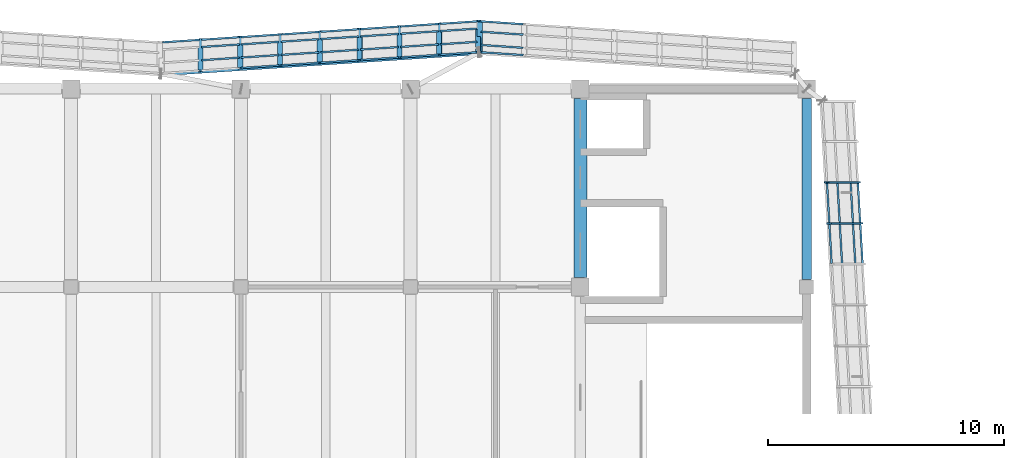
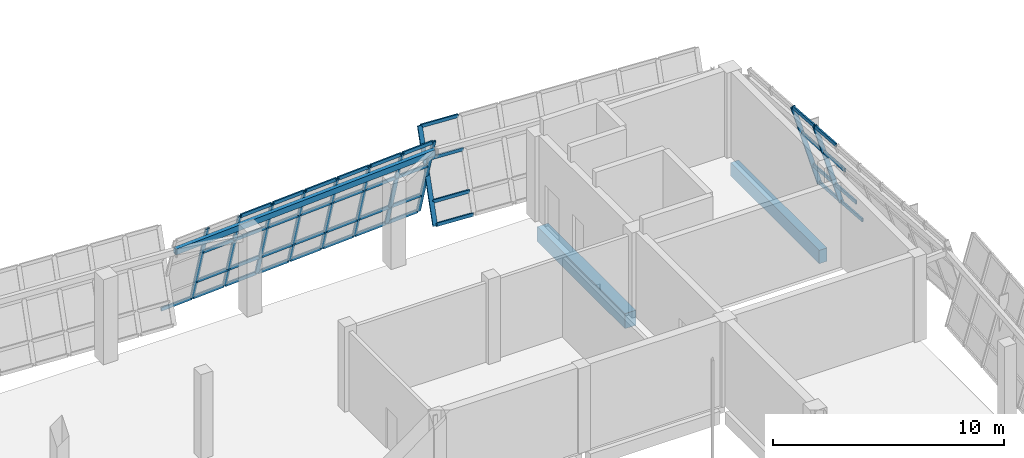
# One storey, part 35 of 71: 51 members, 3 beams, 3 elements without a shape of their own.
"""IFC4 building model written with IfcOpenShell, lengths in metres."""

from ifc_helpers import new_model, si_unit, direction, frame, origin, origin_2d, place, context, subcontext, project, spatial, rectangle, hollow_rectangle, extrude, material, material_profile, profile_set, type_object, element, aggregate, save


model = new_model("IFC4")

# Units and contexts
model_context = context("Model", 3, precision=1e-05, world=origin(), true_north=direction((0.0, 1.0)))
body_context = subcontext(model_context, "Body", "Model", "MODEL_VIEW")
ifc_project = project(units=[si_unit("LENGTHUNIT", "METRE"), si_unit("AREAUNIT", "SQUARE_METRE"), si_unit("VOLUMEUNIT", "CUBIC_METRE"), si_unit("PLANEANGLEUNIT", "RADIAN"), si_unit("MASSUNIT", "GRAM", prefix="KILO")], contexts=[model_context])

# Site, building, storey
site_placement = place(None, origin())
site = spatial("IfcSite", under=ifc_project, at=site_placement, CompositionType="ELEMENT")
building_placement = place(site_placement, origin())
building = spatial("IfcBuilding", under=site, at=building_placement, Name="Pellamere Symphony Hall", CompositionType="ELEMENT")
storey_placement = place(building_placement, frame((0.0, 0.0, 15.0)))
storey = spatial("IfcBuildingStorey", under=building, at=storey_placement, Name="L03", CompositionType="ELEMENT", Elevation=15.0)

# Curtain wall, members
ifc_material_1 = material(Name="Thermally Broken Anodised Aluminium 6063-T6 Curtain Wall", Category="aluminium")
curtain_wall_type = type_object("IfcCurtainWallType", Name="Curtain Wall CW-01 (Tilted Faceted Crystal Low-Iron Curtain Wall)", PredefinedType="NOTDEFINED", material=ifc_material_1)
curtain_wall_1_placement = place(storey_placement, origin())
curtain_wall_1 = element("IfcCurtainWall", 1, at=curtain_wall_1_placement, inside=storey, type_object=curtain_wall_type, Name="Crystal Faceted Curtain Wall CW-CR09 (L03)", PredefinedType="NOTDEFINED")
ifc_material_2 = material(Name="Anodised Architectural Aluminium 6063-T6", Category="aluminium")
ifc_material_profile_1 = material_profile(ifc_material_2, hollow_rectangle(XDim=0.074951171875, YDim=0.219970703125, WallThickness=0.0048828125, at=origin_2d()), Name="ALU-M75X220X5")
ifc_profile_set_1 = profile_set([ifc_material_profile_1], Name="Anodised Architectural Aluminium 6063-T6")
member_type_1 = type_object("IfcMemberType", Name="Curtain Wall Mullion ML-01 ALU-M75X220X5", PredefinedType="MULLION", material=ifc_profile_set_1)
member_1_placement = place(storey_placement, frame((121.0830078125, 87.89990234375, 0.0), z_axis=(-0.284024567884, 0.0, 0.95881700279), x_axis=(-0.055224537145, 0.998339941676, -0.01635883099)))
member_1 = element("IfcMember", 2, at=member_1_placement, type_object=member_type_1, Name="CW1-020 crystal mullion 7", PredefinedType="MULLION", context=body_context, shape_type="SweptSolid", body=[
    extrude(hollow_rectangle(XDim=0.074951171875, YDim=0.219970703125, WallThickness=0.0048828125, at=origin_2d()), origin(), (0.0, 0.0, 1.0), 4.693359375),
])
member_2_placement = place(storey_placement, frame((120.98291015625, 89.63330078125, 0.0), z_axis=(-0.284024567884, 0.0, 0.95881700279), x_axis=(-0.055224537145, 0.998339941676, -0.01635883099)))
member_2 = element("IfcMember", 3, at=member_2_placement, type_object=member_type_1, Name="CW1-020 crystal mullion 8", PredefinedType="MULLION", context=body_context, shape_type="SweptSolid", body=[
    extrude(hollow_rectangle(XDim=0.074951171875, YDim=0.219970703125, WallThickness=0.0048828125, at=origin_2d()), origin(), (0.0, 0.0, 1.0), 4.693359375),
])

# Curtain wall, member
curtain_wall_2_placement = place(storey_placement, origin())
curtain_wall_2 = element("IfcCurtainWall", 4, at=curtain_wall_2_placement, inside=storey, type_object=curtain_wall_type, Name="Crystal Faceted Curtain Wall CW-CR10 (L03)", PredefinedType="NOTDEFINED")
member_3_placement = place(storey_placement, frame((104.9375, 95.1474609375, 0.0), z_axis=(0.0, 0.284024567884, 0.95881700279), x_axis=(0.067013200006, 0.956661667464, -0.283386105922)))
member_3 = element("IfcMember", 5, at=member_3_placement, type_object=member_type_1, Name="CW1-023 crystal mullion 8", PredefinedType="MULLION", context=body_context, shape_type="SweptSolid", body=[
    extrude(hollow_rectangle(XDim=0.074951171875, YDim=0.219970703125, WallThickness=0.0048828125, at=origin_2d()), origin(), (0.0, 0.0, 1.0), 4.693359375),
])

# Curtain wall, members
curtain_wall_3_placement = place(storey_placement, origin())
curtain_wall_3 = element("IfcCurtainWall", 6, at=curtain_wall_3_placement, inside=storey, type_object=curtain_wall_type, Name="Crystal Faceted Curtain Wall CW-CR11 (L03)", PredefinedType="NOTDEFINED")
member_4_placement = place(storey_placement, frame((104.862548828125, 96.48046875, 0.0), z_axis=(0.0, -0.284024567884, 0.95881700279), x_axis=(0.066519010519, -0.956693374484, -0.283395498301)))
member_4 = element("IfcMember", 7, at=member_4_placement, type_object=member_type_1, Name="CW1-026 crystal mullion 1", PredefinedType="MULLION", context=body_context, shape_type="SweptSolid", body=[
    extrude(hollow_rectangle(XDim=0.074951171875, YDim=0.219970703125, WallThickness=0.0048828125, at=origin_2d()), origin(), (0.0, 0.0, 1.0), 4.693359375),
])
member_5_placement = place(storey_placement, frame((103.21240234375, 96.37060546875, 0.0), z_axis=(0.0, -0.284024567884, 0.95881700279), x_axis=(0.066519010519, -0.956693374484, -0.283395498301)))
member_5 = element("IfcMember", 8, at=member_5_placement, type_object=member_type_1, Name="CW1-026 crystal mullion 2", PredefinedType="MULLION", context=body_context, shape_type="SweptSolid", body=[
    extrude(hollow_rectangle(XDim=0.074951171875, YDim=0.219970703125, WallThickness=0.0048828125, at=origin_2d()), origin(), (0.0, 0.0, 1.0), 4.693359375),
])
member_6_placement = place(storey_placement, frame((101.52490234375, 96.258056640625, 0.0), z_axis=(0.0, -0.284024567884, 0.95881700279), x_axis=(0.066519010519, -0.956693374484, -0.283395498301)))
member_6 = element("IfcMember", 9, at=member_6_placement, type_object=member_type_1, Name="CW1-026 crystal mullion 3", PredefinedType="MULLION", context=body_context, shape_type="SweptSolid", body=[
    extrude(hollow_rectangle(XDim=0.074951171875, YDim=0.219970703125, WallThickness=0.0048828125, at=origin_2d()), origin(), (0.0, 0.0, 1.0), 4.693359375),
])
member_7_placement = place(storey_placement, frame((99.83740234375, 96.1455078125, 0.0), z_axis=(0.0, -0.284024567884, 0.95881700279), x_axis=(0.066519010519, -0.956693374484, -0.283395498301)))
member_7 = element("IfcMember", 10, at=member_7_placement, type_object=member_type_1, Name="CW1-026 crystal mullion 4", PredefinedType="MULLION", context=body_context, shape_type="SweptSolid", body=[
    extrude(hollow_rectangle(XDim=0.074951171875, YDim=0.219970703125, WallThickness=0.0048828125, at=origin_2d()), origin(), (0.0, 0.0, 1.0), 4.693359375),
])
member_8_placement = place(storey_placement, frame((98.14990234375, 96.032958984375, 0.0), z_axis=(0.0, -0.284024567884, 0.95881700279), x_axis=(0.066519010519, -0.956693374484, -0.283395498301)))
member_8 = element("IfcMember", 11, at=member_8_placement, type_object=member_type_1, Name="CW1-026 crystal mullion 5", PredefinedType="MULLION", context=body_context, shape_type="SweptSolid", body=[
    extrude(hollow_rectangle(XDim=0.074951171875, YDim=0.219970703125, WallThickness=0.0048828125, at=origin_2d()), origin(), (0.0, 0.0, 1.0), 4.693359375),
])
member_9_placement = place(storey_placement, frame((96.46240234375, 95.92041015625, 0.0), z_axis=(0.0, -0.284024567884, 0.95881700279), x_axis=(0.066519010519, -0.956693374484, -0.283395498301)))
member_9 = element("IfcMember", 12, at=member_9_placement, type_object=member_type_1, Name="CW1-026 crystal mullion 6", PredefinedType="MULLION", context=body_context, shape_type="SweptSolid", body=[
    extrude(hollow_rectangle(XDim=0.074951171875, YDim=0.219970703125, WallThickness=0.0048828125, at=origin_2d()), origin(), (0.0, 0.0, 1.0), 4.693359375),
])
member_10_placement = place(storey_placement, frame((94.77490234375, 95.80810546875, 0.0), z_axis=(0.0, -0.284024567884, 0.95881700279), x_axis=(0.066519010519, -0.956693374484, -0.283395498301)))
member_10 = element("IfcMember", 13, at=member_10_placement, type_object=member_type_1, Name="CW1-026 crystal mullion 7", PredefinedType="MULLION", context=body_context, shape_type="SweptSolid", body=[
    extrude(hollow_rectangle(XDim=0.074951171875, YDim=0.219970703125, WallThickness=0.0048828125, at=origin_2d()), origin(), (0.0, 0.0, 1.0), 4.693359375),
])
member_11_placement = place(storey_placement, frame((93.08740234375, 95.695556640625, 0.0), z_axis=(0.0, -0.284024567884, 0.95881700279), x_axis=(0.066519010519, -0.956693374484, -0.283395498301)))
member_11 = element("IfcMember", 14, at=member_11_placement, type_object=member_type_1, Name="CW1-026 crystal mullion 8", PredefinedType="MULLION", context=body_context, shape_type="SweptSolid", body=[
    extrude(hollow_rectangle(XDim=0.074951171875, YDim=0.219970703125, WallThickness=0.0048828125, at=origin_2d()), origin(), (0.0, 0.0, 1.0), 4.693359375),
])

# Member
ifc_material_profile_2 = material_profile(ifc_material_2, hollow_rectangle(XDim=0.074951171875, YDim=0.179931640625, WallThickness=0.0048828125, at=origin_2d()), Name="ALU-T75X180X5")
ifc_profile_set_2 = profile_set([ifc_material_profile_2], Name="Anodised Architectural Aluminium 6063-T6")
member_type_2 = type_object("IfcMemberType", Name="Curtain Wall Transom TR-01 ALU-T75X180X5", PredefinedType="USERDEFINED", material=ifc_profile_set_2)
member_12_placement = place(storey_placement, frame((121.170166015625, 86.2041015625, 0.035888671875), z_axis=(-0.057610619545, 0.998339129012, 0.0), x_axis=(-0.998339129012, -0.057610619545, 0.0)))
member_12 = element("IfcMember", 15, at=member_12_placement, type_object=member_type_2, Name="CW1-020 crystal transom 6.1", ObjectType="TRANSOM", PredefinedType="USERDEFINED", context=body_context, shape_type="SweptSolid", body=[
    extrude(hollow_rectangle(XDim=0.074951171875, YDim=0.179931640625, WallThickness=0.0048828125, at=origin_2d()), origin(), (0.0, 0.0, 1.0), 1.6611328125),
])

member_13_placement = place(storey_placement, frame((120.86083984375, 86.2041015625, 1.080078125), z_axis=(-0.057610619545, 0.998339129012, 0.0), x_axis=(-0.998339129012, -0.057610619545, 0.0)))
member_13 = element("IfcMember", 16, at=member_13_placement, type_object=member_type_2, Name="CW1-020 crystal transom 6.2", ObjectType="TRANSOM", PredefinedType="USERDEFINED", context=body_context, shape_type="SweptSolid", body=[
    extrude(hollow_rectangle(XDim=0.074951171875, YDim=0.179931640625, WallThickness=0.0048828125, at=origin_2d()), origin(), (0.0, 0.0, 1.0), 1.6611328125),
])

member_14_placement = place(storey_placement, frame((120.301025390625, 86.2041015625, 2.969970703125), z_axis=(-0.057610619545, 0.998339129012, 0.0), x_axis=(-0.998339129012, -0.057610619545, 0.0)))
member_14 = element("IfcMember", 17, at=member_14_placement, type_object=member_type_2, Name="CW1-020 crystal transom 6.3", ObjectType="TRANSOM", PredefinedType="USERDEFINED", context=body_context, shape_type="SweptSolid", body=[
    extrude(hollow_rectangle(XDim=0.074951171875, YDim=0.179931640625, WallThickness=0.0048828125, at=origin_2d()), origin(), (0.0, 0.0, 1.0), 1.6611328125),
])

member_15_placement = place(storey_placement, frame((119.8583984375, 86.2041015625, 4.464111328125), z_axis=(-0.057610619545, 0.998339129012, 0.0), x_axis=(-0.998339129012, -0.057610619545, 0.0)))
member_15 = element("IfcMember", 18, at=member_15_placement, type_object=member_type_2, Name="CW1-020 crystal transom 6.4", ObjectType="TRANSOM", PredefinedType="USERDEFINED", context=body_context, shape_type="SweptSolid", body=[
    extrude(hollow_rectangle(XDim=0.074951171875, YDim=0.179931640625, WallThickness=0.0048828125, at=origin_2d()), origin(), (0.0, 0.0, 1.0), 1.6611328125),
])

member_16_placement = place(storey_placement, frame((121.070068359375, 87.9375, 0.035888671875), z_axis=(-0.057464139598, 0.998347571069, 0.0), x_axis=(-0.998347571069, -0.057464139598, 0.0)))
member_16 = element("IfcMember", 19, at=member_16_placement, type_object=member_type_2, Name="CW1-020 crystal transom 7.1", ObjectType="TRANSOM", PredefinedType="USERDEFINED", context=body_context, shape_type="SweptSolid", body=[
    extrude(hollow_rectangle(XDim=0.074951171875, YDim=0.179931640625, WallThickness=0.0048828125, at=origin_2d()), origin(), (0.0, 0.0, 1.0), 1.6611328125),
])

member_17_placement = place(storey_placement, frame((120.760986328125, 87.9375, 1.080078125), z_axis=(-0.057610619545, 0.998339129012, 0.0), x_axis=(-0.998339129012, -0.057610619545, 0.0)))
member_17 = element("IfcMember", 20, at=member_17_placement, type_object=member_type_2, Name="CW1-020 crystal transom 7.2", ObjectType="TRANSOM", PredefinedType="USERDEFINED", context=body_context, shape_type="SweptSolid", body=[
    extrude(hollow_rectangle(XDim=0.074951171875, YDim=0.179931640625, WallThickness=0.0048828125, at=origin_2d()), origin(), (0.0, 0.0, 1.0), 1.6611328125),
])

member_18_placement = place(storey_placement, frame((120.201171875, 87.9375, 2.969970703125), z_axis=(-0.057610619545, 0.998339129012, 0.0), x_axis=(-0.998339129012, -0.057610619545, 0.0)))
member_18 = element("IfcMember", 21, at=member_18_placement, type_object=member_type_2, Name="CW1-020 crystal transom 7.3", ObjectType="TRANSOM", PredefinedType="USERDEFINED", context=body_context, shape_type="SweptSolid", body=[
    extrude(hollow_rectangle(XDim=0.074951171875, YDim=0.179931640625, WallThickness=0.0048828125, at=origin_2d()), origin(), (0.0, 0.0, 1.0), 1.6611328125),
])

member_19_placement = place(storey_placement, frame((119.758544921875, 87.9375, 4.464111328125), z_axis=(-0.057610619545, 0.998339129012, 0.0), x_axis=(-0.998339129012, -0.057610619545, 0.0)))
member_19 = element("IfcMember", 22, at=member_19_placement, type_object=member_type_2, Name="CW1-020 crystal transom 7.4", ObjectType="TRANSOM", PredefinedType="USERDEFINED", context=body_context, shape_type="SweptSolid", body=[
    extrude(hollow_rectangle(XDim=0.074951171875, YDim=0.179931640625, WallThickness=0.0048828125, at=origin_2d()), origin(), (0.0, 0.0, 1.0), 1.6611328125),
])

aggregate(curtain_wall_1, [member_1, member_2, member_12, member_13, member_14, member_15, member_16, member_17, member_18, member_19])

member_20_placement = place(storey_placement, frame((106.77685546875, 95.03466796875, 0.035888671875), z_axis=(-0.997758761658, 0.066913776862, 0.0), x_axis=(-0.066913776862, -0.997758761658, 0.0)))
member_20 = element("IfcMember", 23, at=member_20_placement, type_object=member_type_2, Name="CW1-023 crystal transom 7.1", ObjectType="TRANSOM", PredefinedType="USERDEFINED", context=body_context, shape_type="SweptSolid", body=[
    extrude(hollow_rectangle(XDim=0.074951171875, YDim=0.179931640625, WallThickness=0.0048828125, at=origin_2d()), origin(), (0.0, 0.0, 1.0), 1.80615234375),
])

member_21_placement = place(storey_placement, frame((106.77685546875, 95.34375, 1.080078125), z_axis=(-0.997749727577, 0.067048349123, 0.0), x_axis=(-0.067048349123, -0.997749727577, 0.0)))
member_21 = element("IfcMember", 24, at=member_21_placement, type_object=member_type_2, Name="CW1-023 crystal transom 7.2", ObjectType="TRANSOM", PredefinedType="USERDEFINED", context=body_context, shape_type="SweptSolid", body=[
    extrude(hollow_rectangle(XDim=0.074951171875, YDim=0.179931640625, WallThickness=0.0048828125, at=origin_2d()), origin(), (0.0, 0.0, 1.0), 1.80615234375),
])

member_22_placement = place(storey_placement, frame((106.77685546875, 95.90380859375, 2.969970703125), z_axis=(-0.997758761658, 0.066913776862, 0.0), x_axis=(-0.066913776862, -0.997758761658, 0.0)))
member_22 = element("IfcMember", 25, at=member_22_placement, type_object=member_type_2, Name="CW1-023 crystal transom 7.3", ObjectType="TRANSOM", PredefinedType="USERDEFINED", context=body_context, shape_type="SweptSolid", body=[
    extrude(hollow_rectangle(XDim=0.074951171875, YDim=0.179931640625, WallThickness=0.0048828125, at=origin_2d()), origin(), (0.0, 0.0, 1.0), 1.80615234375),
])

member_23_placement = place(storey_placement, frame((106.77685546875, 96.34619140625, 4.464111328125), z_axis=(-0.997749727577, 0.067048349123, 0.0), x_axis=(-0.067048349123, -0.997749727577, 0.0)))
member_23 = element("IfcMember", 26, at=member_23_placement, type_object=member_type_2, Name="CW1-023 crystal transom 7.4", ObjectType="TRANSOM", PredefinedType="USERDEFINED", context=body_context, shape_type="SweptSolid", body=[
    extrude(hollow_rectangle(XDim=0.074951171875, YDim=0.179931640625, WallThickness=0.0048828125, at=origin_2d()), origin(), (0.0, 0.0, 1.0), 1.80615234375),
])

aggregate(curtain_wall_2, [member_3, member_20, member_21, member_22, member_23])

member_24_placement = place(storey_placement, frame((104.8251953125, 96.46728515625, 0.035888671875), z_axis=(-0.997786526209, -0.066498482063, 0.0), x_axis=(0.066498482063, -0.997786526209, 0.0)))
member_24 = element("IfcMember", 27, at=member_24_placement, type_object=member_type_2, Name="CW1-026 crystal transom 1.1", ObjectType="TRANSOM", PredefinedType="USERDEFINED", context=body_context, shape_type="SweptSolid", body=[
    extrude(hollow_rectangle(XDim=0.074951171875, YDim=0.179931640625, WallThickness=0.0048828125, at=origin_2d()), origin(), (0.0, 0.0, 1.0), 1.57861328125),
])

member_25_placement = place(storey_placement, frame((104.8251953125, 96.158203125, 1.080078125), z_axis=(-0.997776253366, -0.06665244346, 0.0), x_axis=(0.06665244346, -0.997776253366, 0.0)))
member_25 = element("IfcMember", 28, at=member_25_placement, type_object=member_type_2, Name="CW1-026 crystal transom 1.2", ObjectType="TRANSOM", PredefinedType="USERDEFINED", context=body_context, shape_type="SweptSolid", body=[
    extrude(hollow_rectangle(XDim=0.074951171875, YDim=0.179931640625, WallThickness=0.0048828125, at=origin_2d()), origin(), (0.0, 0.0, 1.0), 1.57861328125),
])

member_26_placement = place(storey_placement, frame((104.8251953125, 95.59814453125, 2.969970703125), z_axis=(-0.997786526209, -0.066498482063, 0.0), x_axis=(0.066498482063, -0.997786526209, 0.0)))
member_26 = element("IfcMember", 29, at=member_26_placement, type_object=member_type_2, Name="CW1-026 crystal transom 1.3", ObjectType="TRANSOM", PredefinedType="USERDEFINED", context=body_context, shape_type="SweptSolid", body=[
    extrude(hollow_rectangle(XDim=0.074951171875, YDim=0.179931640625, WallThickness=0.0048828125, at=origin_2d()), origin(), (0.0, 0.0, 1.0), 1.57861328125),
])

member_27_placement = place(storey_placement, frame((104.8251953125, 95.15576171875, 4.464111328125), z_axis=(-0.997776253366, -0.06665244346, 0.0), x_axis=(0.06665244346, -0.997776253366, 0.0)))
member_27 = element("IfcMember", 30, at=member_27_placement, type_object=member_type_2, Name="CW1-026 crystal transom 1.4", ObjectType="TRANSOM", PredefinedType="USERDEFINED", context=body_context, shape_type="SweptSolid", body=[
    extrude(hollow_rectangle(XDim=0.074951171875, YDim=0.179931640625, WallThickness=0.0048828125, at=origin_2d()), origin(), (0.0, 0.0, 1.0), 1.57861328125),
])

member_28_placement = place(storey_placement, frame((103.175048828125, 96.357421875, 0.035888671875), z_axis=(-0.997778468566, -0.06661927398, 0.0), x_axis=(0.06661927398, -0.997778468566, 0.0)))
member_28 = element("IfcMember", 31, at=member_28_placement, type_object=member_type_2, Name="CW1-026 crystal transom 2.1", ObjectType="TRANSOM", PredefinedType="USERDEFINED", context=body_context, shape_type="SweptSolid", body=[
    extrude(hollow_rectangle(XDim=0.074951171875, YDim=0.179931640625, WallThickness=0.0048828125, at=origin_2d()), origin(), (0.0, 0.0, 1.0), 1.6162109375),
])

member_29_placement = place(storey_placement, frame((103.175048828125, 96.048095703125, 1.080078125), z_axis=(-0.997788498757, -0.06646887804, 0.0), x_axis=(0.06646887804, -0.997788498757, 0.0)))
member_29 = element("IfcMember", 32, at=member_29_placement, type_object=member_type_2, Name="CW1-026 crystal transom 2.2", ObjectType="TRANSOM", PredefinedType="USERDEFINED", context=body_context, shape_type="SweptSolid", body=[
    extrude(hollow_rectangle(XDim=0.074951171875, YDim=0.179931640625, WallThickness=0.0048828125, at=origin_2d()), origin(), (0.0, 0.0, 1.0), 1.6162109375),
])

member_30_placement = place(storey_placement, frame((103.175048828125, 95.48828125, 2.969970703125), z_axis=(-0.997778468566, -0.06661927398, 0.0), x_axis=(0.06661927398, -0.997778468566, 0.0)))
member_30 = element("IfcMember", 33, at=member_30_placement, type_object=member_type_2, Name="CW1-026 crystal transom 2.3", ObjectType="TRANSOM", PredefinedType="USERDEFINED", context=body_context, shape_type="SweptSolid", body=[
    extrude(hollow_rectangle(XDim=0.074951171875, YDim=0.179931640625, WallThickness=0.0048828125, at=origin_2d()), origin(), (0.0, 0.0, 1.0), 1.6162109375),
])

member_31_placement = place(storey_placement, frame((103.175048828125, 95.045654296875, 4.464111328125), z_axis=(-0.997788498757, -0.06646887804, 0.0), x_axis=(0.06646887804, -0.997788498757, 0.0)))
member_31 = element("IfcMember", 34, at=member_31_placement, type_object=member_type_2, Name="CW1-026 crystal transom 2.4", ObjectType="TRANSOM", PredefinedType="USERDEFINED", context=body_context, shape_type="SweptSolid", body=[
    extrude(hollow_rectangle(XDim=0.074951171875, YDim=0.179931640625, WallThickness=0.0048828125, at=origin_2d()), origin(), (0.0, 0.0, 1.0), 1.6162109375),
])

member_32_placement = place(storey_placement, frame((101.487548828125, 96.244873046875, 0.035888671875), z_axis=(-0.997788498757, -0.06646887804, 0.0), x_axis=(0.06646887804, -0.997788498757, 0.0)))
member_32 = element("IfcMember", 35, at=member_32_placement, type_object=member_type_2, Name="CW1-026 crystal transom 3.1", ObjectType="TRANSOM", PredefinedType="USERDEFINED", context=body_context, shape_type="SweptSolid", body=[
    extrude(hollow_rectangle(XDim=0.074951171875, YDim=0.179931640625, WallThickness=0.0048828125, at=origin_2d()), origin(), (0.0, 0.0, 1.0), 1.6162109375),
])

member_33_placement = place(storey_placement, frame((101.487548828125, 95.935546875, 1.080078125), z_axis=(-0.997788498757, -0.06646887804, 0.0), x_axis=(0.06646887804, -0.997788498757, 0.0)))
member_33 = element("IfcMember", 36, at=member_33_placement, type_object=member_type_2, Name="CW1-026 crystal transom 3.2", ObjectType="TRANSOM", PredefinedType="USERDEFINED", context=body_context, shape_type="SweptSolid", body=[
    extrude(hollow_rectangle(XDim=0.074951171875, YDim=0.179931640625, WallThickness=0.0048828125, at=origin_2d()), origin(), (0.0, 0.0, 1.0), 1.6162109375),
])

member_34_placement = place(storey_placement, frame((101.487548828125, 95.375732421875, 2.969970703125), z_axis=(-0.997788498757, -0.06646887804, 0.0), x_axis=(0.06646887804, -0.997788498757, 0.0)))
member_34 = element("IfcMember", 37, at=member_34_placement, type_object=member_type_2, Name="CW1-026 crystal transom 3.3", ObjectType="TRANSOM", PredefinedType="USERDEFINED", context=body_context, shape_type="SweptSolid", body=[
    extrude(hollow_rectangle(XDim=0.074951171875, YDim=0.179931640625, WallThickness=0.0048828125, at=origin_2d()), origin(), (0.0, 0.0, 1.0), 1.6162109375),
])

member_35_placement = place(storey_placement, frame((101.487548828125, 94.93310546875, 4.464111328125), z_axis=(-0.997788498757, -0.06646887804, 0.0), x_axis=(0.06646887804, -0.997788498757, 0.0)))
member_35 = element("IfcMember", 38, at=member_35_placement, type_object=member_type_2, Name="CW1-026 crystal transom 3.4", ObjectType="TRANSOM", PredefinedType="USERDEFINED", context=body_context, shape_type="SweptSolid", body=[
    extrude(hollow_rectangle(XDim=0.074951171875, YDim=0.179931640625, WallThickness=0.0048828125, at=origin_2d()), origin(), (0.0, 0.0, 1.0), 1.6162109375),
])

member_36_placement = place(storey_placement, frame((99.800048828125, 96.13232421875, 0.035888671875), z_axis=(-0.997788498757, -0.06646887804, 0.0), x_axis=(0.06646887804, -0.997788498757, 0.0)))
member_36 = element("IfcMember", 39, at=member_36_placement, type_object=member_type_2, Name="CW1-026 crystal transom 4.1", ObjectType="TRANSOM", PredefinedType="USERDEFINED", context=body_context, shape_type="SweptSolid", body=[
    extrude(hollow_rectangle(XDim=0.074951171875, YDim=0.179931640625, WallThickness=0.0048828125, at=origin_2d()), origin(), (0.0, 0.0, 1.0), 1.6162109375),
])

member_37_placement = place(storey_placement, frame((99.800048828125, 95.822998046875, 1.080078125), z_axis=(-0.997788498757, -0.06646887804, 0.0), x_axis=(0.06646887804, -0.997788498757, 0.0)))
member_37 = element("IfcMember", 40, at=member_37_placement, type_object=member_type_2, Name="CW1-026 crystal transom 4.2", ObjectType="TRANSOM", PredefinedType="USERDEFINED", context=body_context, shape_type="SweptSolid", body=[
    extrude(hollow_rectangle(XDim=0.074951171875, YDim=0.179931640625, WallThickness=0.0048828125, at=origin_2d()), origin(), (0.0, 0.0, 1.0), 1.6162109375),
])

member_38_placement = place(storey_placement, frame((99.800048828125, 95.26318359375, 2.969970703125), z_axis=(-0.997788498757, -0.06646887804, 0.0), x_axis=(0.06646887804, -0.997788498757, 0.0)))
member_38 = element("IfcMember", 41, at=member_38_placement, type_object=member_type_2, Name="CW1-026 crystal transom 4.3", ObjectType="TRANSOM", PredefinedType="USERDEFINED", context=body_context, shape_type="SweptSolid", body=[
    extrude(hollow_rectangle(XDim=0.074951171875, YDim=0.179931640625, WallThickness=0.0048828125, at=origin_2d()), origin(), (0.0, 0.0, 1.0), 1.6162109375),
])

member_39_placement = place(storey_placement, frame((99.800048828125, 94.820556640625, 4.464111328125), z_axis=(-0.997788498757, -0.06646887804, 0.0), x_axis=(0.06646887804, -0.997788498757, 0.0)))
member_39 = element("IfcMember", 42, at=member_39_placement, type_object=member_type_2, Name="CW1-026 crystal transom 4.4", ObjectType="TRANSOM", PredefinedType="USERDEFINED", context=body_context, shape_type="SweptSolid", body=[
    extrude(hollow_rectangle(XDim=0.074951171875, YDim=0.179931640625, WallThickness=0.0048828125, at=origin_2d()), origin(), (0.0, 0.0, 1.0), 1.6162109375),
])

member_40_placement = place(storey_placement, frame((98.112548828125, 96.019775390625, 0.035888671875), z_axis=(-0.997788498757, -0.06646887804, 0.0), x_axis=(0.06646887804, -0.997788498757, 0.0)))
member_40 = element("IfcMember", 43, at=member_40_placement, type_object=member_type_2, Name="CW1-026 crystal transom 5.1", ObjectType="TRANSOM", PredefinedType="USERDEFINED", context=body_context, shape_type="SweptSolid", body=[
    extrude(hollow_rectangle(XDim=0.074951171875, YDim=0.179931640625, WallThickness=0.0048828125, at=origin_2d()), origin(), (0.0, 0.0, 1.0), 1.6162109375),
])

member_41_placement = place(storey_placement, frame((98.112548828125, 95.710693359375, 1.080078125), z_axis=(-0.997778468566, -0.06661927398, 0.0), x_axis=(0.06661927398, -0.997778468566, 0.0)))
member_41 = element("IfcMember", 44, at=member_41_placement, type_object=member_type_2, Name="CW1-026 crystal transom 5.2", ObjectType="TRANSOM", PredefinedType="USERDEFINED", context=body_context, shape_type="SweptSolid", body=[
    extrude(hollow_rectangle(XDim=0.074951171875, YDim=0.179931640625, WallThickness=0.0048828125, at=origin_2d()), origin(), (0.0, 0.0, 1.0), 1.6162109375),
])

member_42_placement = place(storey_placement, frame((98.112548828125, 95.150634765625, 2.969970703125), z_axis=(-0.997788498757, -0.06646887804, 0.0), x_axis=(0.06646887804, -0.997788498757, 0.0)))
member_42 = element("IfcMember", 45, at=member_42_placement, type_object=member_type_2, Name="CW1-026 crystal transom 5.3", ObjectType="TRANSOM", PredefinedType="USERDEFINED", context=body_context, shape_type="SweptSolid", body=[
    extrude(hollow_rectangle(XDim=0.074951171875, YDim=0.179931640625, WallThickness=0.0048828125, at=origin_2d()), origin(), (0.0, 0.0, 1.0), 1.6162109375),
])

member_43_placement = place(storey_placement, frame((98.112548828125, 94.708251953125, 4.464111328125), z_axis=(-0.997778468566, -0.06661927398, 0.0), x_axis=(0.06661927398, -0.997778468566, 0.0)))
member_43 = element("IfcMember", 46, at=member_43_placement, type_object=member_type_2, Name="CW1-026 crystal transom 5.4", ObjectType="TRANSOM", PredefinedType="USERDEFINED", context=body_context, shape_type="SweptSolid", body=[
    extrude(hollow_rectangle(XDim=0.074951171875, YDim=0.179931640625, WallThickness=0.0048828125, at=origin_2d()), origin(), (0.0, 0.0, 1.0), 1.6162109375),
])

member_44_placement = place(storey_placement, frame((96.425048828125, 95.907470703125, 0.035888671875), z_axis=(-0.997778468566, -0.06661927398, 0.0), x_axis=(0.06661927398, -0.997778468566, 0.0)))
member_44 = element("IfcMember", 47, at=member_44_placement, type_object=member_type_2, Name="CW1-026 crystal transom 6.1", ObjectType="TRANSOM", PredefinedType="USERDEFINED", context=body_context, shape_type="SweptSolid", body=[
    extrude(hollow_rectangle(XDim=0.074951171875, YDim=0.179931640625, WallThickness=0.0048828125, at=origin_2d()), origin(), (0.0, 0.0, 1.0), 1.6162109375),
])

member_45_placement = place(storey_placement, frame((96.425048828125, 95.59814453125, 1.080078125), z_axis=(-0.997778468566, -0.06661927398, 0.0), x_axis=(0.06661927398, -0.997778468566, 0.0)))
member_45 = element("IfcMember", 48, at=member_45_placement, type_object=member_type_2, Name="CW1-026 crystal transom 6.2", ObjectType="TRANSOM", PredefinedType="USERDEFINED", context=body_context, shape_type="SweptSolid", body=[
    extrude(hollow_rectangle(XDim=0.074951171875, YDim=0.179931640625, WallThickness=0.0048828125, at=origin_2d()), origin(), (0.0, 0.0, 1.0), 1.6162109375),
])

member_46_placement = place(storey_placement, frame((96.425048828125, 95.038330078125, 2.969970703125), z_axis=(-0.997778468566, -0.06661927398, 0.0), x_axis=(0.06661927398, -0.997778468566, 0.0)))
member_46 = element("IfcMember", 49, at=member_46_placement, type_object=member_type_2, Name="CW1-026 crystal transom 6.3", ObjectType="TRANSOM", PredefinedType="USERDEFINED", context=body_context, shape_type="SweptSolid", body=[
    extrude(hollow_rectangle(XDim=0.074951171875, YDim=0.179931640625, WallThickness=0.0048828125, at=origin_2d()), origin(), (0.0, 0.0, 1.0), 1.6162109375),
])

member_47_placement = place(storey_placement, frame((96.425048828125, 94.595703125, 4.464111328125), z_axis=(-0.997778468566, -0.06661927398, 0.0), x_axis=(0.06661927398, -0.997778468566, 0.0)))
member_47 = element("IfcMember", 50, at=member_47_placement, type_object=member_type_2, Name="CW1-026 crystal transom 6.4", ObjectType="TRANSOM", PredefinedType="USERDEFINED", context=body_context, shape_type="SweptSolid", body=[
    extrude(hollow_rectangle(XDim=0.074951171875, YDim=0.179931640625, WallThickness=0.0048828125, at=origin_2d()), origin(), (0.0, 0.0, 1.0), 1.6162109375),
])

member_48_placement = place(storey_placement, frame((94.737548828125, 95.794921875, 0.035888671875), z_axis=(-0.997778468566, -0.06661927398, 0.0), x_axis=(0.06661927398, -0.997778468566, 0.0)))
member_48 = element("IfcMember", 51, at=member_48_placement, type_object=member_type_2, Name="CW1-026 crystal transom 7.1", ObjectType="TRANSOM", PredefinedType="USERDEFINED", context=body_context, shape_type="SweptSolid", body=[
    extrude(hollow_rectangle(XDim=0.074951171875, YDim=0.179931640625, WallThickness=0.0048828125, at=origin_2d()), origin(), (0.0, 0.0, 1.0), 1.6162109375),
])

member_49_placement = place(storey_placement, frame((94.737548828125, 95.485595703125, 1.080078125), z_axis=(-0.997788498757, -0.06646887804, 0.0), x_axis=(0.06646887804, -0.997788498757, 0.0)))
member_49 = element("IfcMember", 52, at=member_49_placement, type_object=member_type_2, Name="CW1-026 crystal transom 7.2", ObjectType="TRANSOM", PredefinedType="USERDEFINED", context=body_context, shape_type="SweptSolid", body=[
    extrude(hollow_rectangle(XDim=0.074951171875, YDim=0.179931640625, WallThickness=0.0048828125, at=origin_2d()), origin(), (0.0, 0.0, 1.0), 1.6162109375),
])

member_50_placement = place(storey_placement, frame((94.737548828125, 94.92578125, 2.969970703125), z_axis=(-0.997778468566, -0.06661927398, 0.0), x_axis=(0.06661927398, -0.997778468566, 0.0)))
member_50 = element("IfcMember", 53, at=member_50_placement, type_object=member_type_2, Name="CW1-026 crystal transom 7.3", ObjectType="TRANSOM", PredefinedType="USERDEFINED", context=body_context, shape_type="SweptSolid", body=[
    extrude(hollow_rectangle(XDim=0.074951171875, YDim=0.179931640625, WallThickness=0.0048828125, at=origin_2d()), origin(), (0.0, 0.0, 1.0), 1.6162109375),
])

member_51_placement = place(storey_placement, frame((93.050048828125, 95.682373046875, 0.035888671875), z_axis=(-0.997786526209, -0.066498482063, 0.0), x_axis=(0.066498482063, -0.997786526209, 0.0)))
member_51 = element("IfcMember", 54, at=member_51_placement, type_object=member_type_2, Name="CW1-026 crystal transom 8.1", ObjectType="TRANSOM", PredefinedType="USERDEFINED", context=body_context, shape_type="SweptSolid", body=[
    extrude(hollow_rectangle(XDim=0.074951171875, YDim=0.179931640625, WallThickness=0.0048828125, at=origin_2d()), origin(), (0.0, 0.0, 1.0), 1.57861328125),
])

aggregate(curtain_wall_3, [member_4, member_5, member_6, member_7, member_8, member_9, member_10, member_11, member_24, member_25, member_26, member_27, member_28, member_29, member_30, member_31, member_32, member_33, member_34, member_35, member_36, member_37, member_38, member_39, member_40, member_41, member_42, member_43, member_44, member_45, member_46, member_47, member_48, member_49, member_50, member_51])

# Beams
ifc_material_3 = material(Name="Concrete 40 MPa", Category="concrete")
ifc_material_profile_3 = material_profile(ifc_material_3, rectangle(XDim=0.550048828125, YDim=0.800048828125, at=origin_2d()), Name="RC 550x800")
ifc_profile_set_3 = profile_set([ifc_material_profile_3], Name="Concrete 40 MPa")
beam_type_1 = type_object("IfcBeamType", Name="RC CB-05 550x800", PredefinedType="BEAM", material=ifc_profile_set_3)
beam_1_placement = place(storey_placement, frame((109.199951171875, 85.60009765625, -0.659912109375), z_axis=(0.0, 1.0, 0.0), x_axis=(-1.0, 0.0, 0.0)))
element("IfcBeam", 55, at=beam_1_placement, inside=storey, type_object=beam_type_1, Name="Girder CB-05-Y1657 (L03)", PredefinedType="BEAM", context=body_context, shape_type="SweptSolid", body=[
    extrude(rectangle(XDim=0.550048828125, YDim=0.800048828125, at=origin_2d()), origin(), (0.0, 0.0, 1.0), 7.599853515625),
])
ifc_material_profile_4 = material_profile(ifc_material_3, rectangle(XDim=0.39990234375, YDim=0.699951171875, at=origin_2d()), Name="RC 400x700")
ifc_profile_set_4 = profile_set([ifc_material_profile_4], Name="Concrete 40 MPa")
beam_type_2 = type_object("IfcBeamType", Name="RC CB-13 400x700", PredefinedType="SPANDREL", material=ifc_profile_set_4)
beam_2_placement = place(storey_placement, frame((118.800048828125, 85.52490234375, -0.610107421875), z_axis=(0.0, 1.0, 0.0), x_axis=(-1.0, 0.0, 0.0)))
element("IfcBeam", 56, at=beam_2_placement, inside=storey, type_object=beam_type_2, Name="Girder CB-13-Y1665 (L03)", PredefinedType="SPANDREL", context=body_context, shape_type="SweptSolid", body=[
    extrude(rectangle(XDim=0.39990234375, YDim=0.699951171875, at=origin_2d()), origin(), (0.0, 0.0, 1.0), 7.675048828125),
])
ifc_material_4 = material(Name="Steel CSA G40.21 350W", Category="steel")
ifc_material_profile_5 = material_profile(ifc_material_4, hollow_rectangle(XDim=0.203125, YDim=0.3046875, WallThickness=0.0126953125, at=origin_2d()), Name="HSS305X203X13")
ifc_profile_set_5 = profile_set([ifc_material_profile_5], Name="Steel CSA G40.21 350W")
beam_type_3 = type_object("IfcBeamType", Name="Steel Spandrel SB-26 HSS305X203X13", PredefinedType="SPANDREL", material=ifc_profile_set_5)
beam_3_placement = place(storey_placement, frame((104.89990234375, 95.14990234375, 3.93994140625), z_axis=(-0.997785636887, -0.066511824681, 0.0), x_axis=(0.066511824681, -0.997785636887, 0.0)))
element("IfcBeam", 57, at=beam_3_placement, inside=storey, type_object=beam_type_3, Name="Crystal Perimeter Ring Beam CW-CR11 (L03)", PredefinedType="SPANDREL", context=body_context, shape_type="SweptSolid", body=[
    extrude(hollow_rectangle(XDim=0.203125, YDim=0.3046875, WallThickness=0.0126953125, at=origin_2d()), origin(), (0.0, 0.0, 1.0), 13.530029296875),
])

save(model, "model.ifc")
